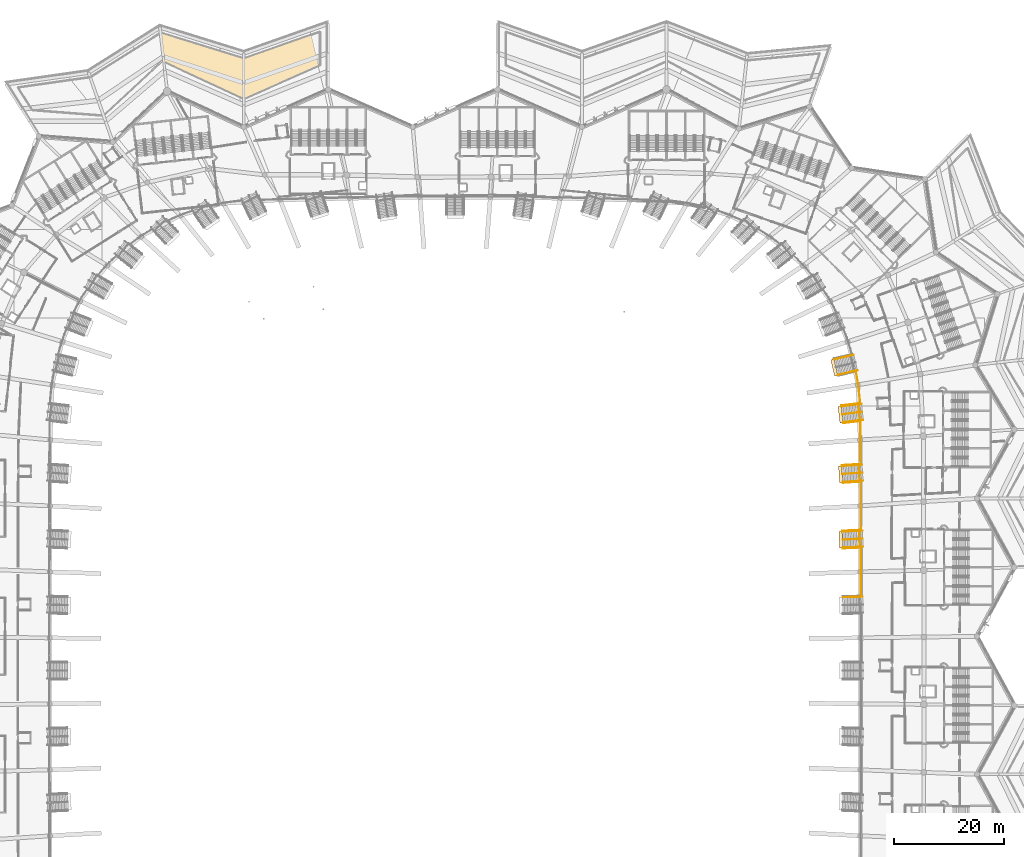
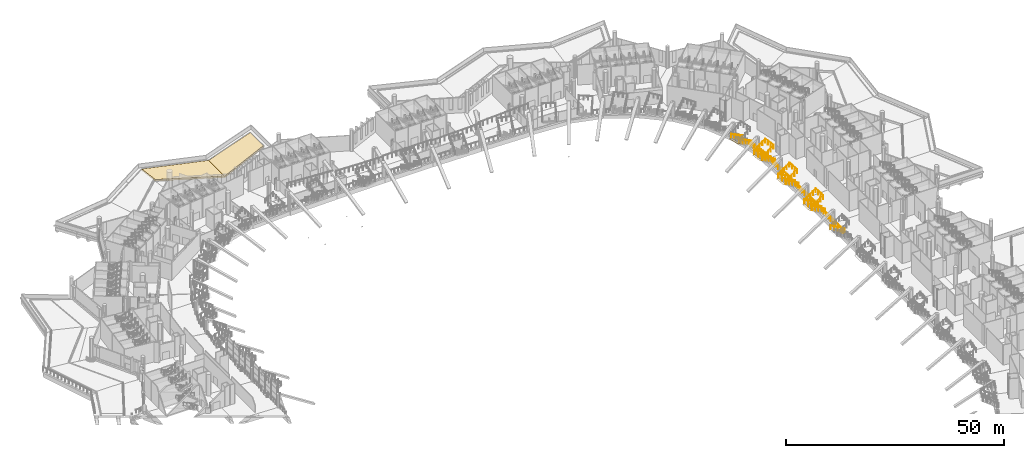
# One storey, part 160 of 173: 19 railings, 6 coverings.
"""IFC4 building model written with IfcOpenShell, lengths in metres."""

from ifc_helpers import new_model, si_unit, direction, frame, origin, origin_2d, place, context, subcontext, project, spatial, polyline, rectangle, circle, outline, extrude, material, layer, layer_set, type_object, element, save


model = new_model("IFC4")

# Units and contexts
model_context = context("Model", 3, precision=1e-05, world=origin(), true_north=direction((0.0, 1.0)))
body_context = subcontext(model_context, "Body", "Model", "MODEL_VIEW")
ifc_project = project(units=[si_unit("LENGTHUNIT", "METRE"), si_unit("AREAUNIT", "SQUARE_METRE"), si_unit("VOLUMEUNIT", "CUBIC_METRE"), si_unit("PLANEANGLEUNIT", "RADIAN"), si_unit("MASSUNIT", "GRAM", prefix="KILO")], contexts=[model_context])

# Site, building, storey
site_placement = place(None, origin())
site = spatial("IfcSite", under=ifc_project, at=site_placement, CompositionType="ELEMENT")
building_placement = place(site_placement, origin())
building = spatial("IfcBuilding", under=site, at=building_placement, Name="Meseta Stadium", CompositionType="ELEMENT")
storey_placement = place(building_placement, frame((0.0, 0.0, 18.0)))
storey = spatial("IfcBuildingStorey", under=building, at=storey_placement, Name="L03", CompositionType="ELEMENT", Elevation=18.0)

# Coverings
ifc_material_1 = material(Name="Planting soil")
ifc_layer_1 = layer(ifc_material_1, 0.449951171875)
ifc_layer_set_1 = layer_set([ifc_layer_1], Name="Planting soil 450")
covering_type_1 = type_object("IfcCoveringType", Name="Planting soil 450", PredefinedType="FLOORING", material=ifc_layer_set_1)
covering_1_placement = place(storey_placement, origin())
element("IfcCovering", 1, at=covering_1_placement, inside=storey, type_object=covering_type_1, Name="Roof garden planting bed 3.1 panel 03", PredefinedType="FLOORING", context=body_context, shape_type="SweptSolid", body=[
    extrude(outline(polyline([(-38.333251953125, 103.728515625), (-38.333251953125, 111.029296875), (-53.37158203125, 115.697265625), (-53.400390625, 115.67919921875), (-52.8125, 110.4638671875), (-38.333251953125, 103.728515625)])), origin(), (0.0, 0.0, 1.0), 0.449951171875),
])
covering_2_placement = place(storey_placement, origin())
element("IfcCovering", 2, at=covering_2_placement, inside=storey, type_object=covering_type_1, Name="Roof garden planting bed 3.1 panel 04", PredefinedType="FLOORING", context=body_context, shape_type="SweptSolid", body=[
    extrude(outline(polyline([(-38.333251953125, 111.029296875), (-38.333251953125, 103.728515625), (-38.287353515625, 103.70703125), (-24.5, 109.821533203125), (-24.5, 115.88134765625), (-38.3037109375, 111.020263671875), (-38.333251953125, 111.029296875)])), origin(), (0.0, 0.0, 1.0), 0.449951171875),
])

# Railings
ifc_material_2 = material(Name="Steel S355", Category="steel")
railing_type_1 = type_object("IfcRailingType", Name="Plate edge guard 1100", PredefinedType="GUARDRAIL", material=ifc_material_2)
railing_1_placement = place(storey_placement, frame((73.590087890625, 13.534912109375, 0.0)))
element("IfcRailing", 3, at=railing_1_placement, inside=storey, type_object=railing_type_1, Name="L03 inner edge guard 7", PredefinedType="GUARDRAIL", context=body_context, shape_type="SweptSolid", body=[
    extrude(circle(Radius=0.02490234375, at=origin_2d()), frame((0.0, 0.0, 1.0751953125), z_axis=(-0.001964850227, 0.99999806968, 0.0), x_axis=(-0.99999806968, -0.001964850227, 0.0)), (0.0, 0.0, 1.0), 8.822021484375),
    extrude(circle(Radius=0.02001953125, at=origin_2d()), origin(), (0.0, 0.0, 1.0), 1.050048828125),
    extrude(circle(Radius=0.02001953125, at=origin_2d()), frame((-0.002197265625, 1.102783203125, 0.0)), (0.0, 0.0, 1.0), 1.050048828125),
    extrude(circle(Radius=0.02001953125, at=origin_2d()), frame((-0.00439453125, 2.20556640625, 0.0)), (0.0, 0.0, 1.0), 1.050048828125),
    extrude(circle(Radius=0.02001953125, at=origin_2d()), frame((-0.006591796875, 3.308349609375, 0.0)), (0.0, 0.0, 1.0), 1.050048828125),
    extrude(circle(Radius=0.02001953125, at=origin_2d()), frame((-0.0087890625, 4.4111328125, 0.0)), (0.0, 0.0, 1.0), 1.050048828125),
    extrude(circle(Radius=0.02001953125, at=origin_2d()), frame((-0.0107421875, 5.513671875, 0.0)), (0.0, 0.0, 1.0), 1.050048828125),
    extrude(circle(Radius=0.02001953125, at=origin_2d()), frame((-0.012939453125, 6.616455078125, 0.0)), (0.0, 0.0, 1.0), 1.050048828125),
    extrude(circle(Radius=0.02001953125, at=origin_2d()), frame((-0.01513671875, 7.71923828125, 0.0)), (0.0, 0.0, 1.0), 1.050048828125),
    extrude(circle(Radius=0.02001953125, at=origin_2d()), frame((-0.017333984375, 8.822021484375, 0.0)), (0.0, 0.0, 1.0), 1.050048828125),
])
railing_2_placement = place(storey_placement, frame((73.564453125, 25.49951171875, 0.0)))
element("IfcRailing", 4, at=railing_2_placement, inside=storey, type_object=railing_type_1, Name="L03 inner edge guard 8", PredefinedType="GUARDRAIL", context=body_context, shape_type="SweptSolid", body=[
    extrude(circle(Radius=0.02490234375, at=origin_2d()), frame((0.0, 0.0, 1.0751953125), z_axis=(-0.003239544414, 0.999994752662, 0.0), x_axis=(-0.999994752662, -0.003239544414, 0.0)), (0.0, 0.0, 1.0), 8.8173828125),
    extrude(circle(Radius=0.02001953125, at=origin_2d()), origin(), (0.0, 0.0, 1.0), 1.050048828125),
    extrude(circle(Radius=0.02001953125, at=origin_2d()), frame((-0.003662109375, 1.10205078125, 0.0)), (0.0, 0.0, 1.0), 1.050048828125),
    extrude(circle(Radius=0.02001953125, at=origin_2d()), frame((-0.007080078125, 2.204345703125, 0.0)), (0.0, 0.0, 1.0), 1.050048828125),
    extrude(circle(Radius=0.02001953125, at=origin_2d()), frame((-0.0107421875, 3.306640625, 0.0)), (0.0, 0.0, 1.0), 1.050048828125),
    extrude(circle(Radius=0.02001953125, at=origin_2d()), frame((-0.01416015625, 4.40869140625, 0.0)), (0.0, 0.0, 1.0), 1.050048828125),
    extrude(circle(Radius=0.02001953125, at=origin_2d()), frame((-0.017822265625, 5.5107421875, 0.0)), (0.0, 0.0, 1.0), 1.050048828125),
    extrude(circle(Radius=0.02001953125, at=origin_2d()), frame((-0.021484375, 6.613037109375, 0.0)), (0.0, 0.0, 1.0), 1.050048828125),
    extrude(circle(Radius=0.02001953125, at=origin_2d()), frame((-0.02490234375, 7.71533203125, 0.0)), (0.0, 0.0, 1.0), 1.050048828125),
    extrude(circle(Radius=0.02001953125, at=origin_2d()), frame((-0.028564453125, 8.8173828125, 0.0)), (0.0, 0.0, 1.0), 1.050048828125),
])
railing_3_placement = place(storey_placement, frame((73.523681640625, 37.462890625, 0.0)))
element("IfcRailing", 5, at=railing_3_placement, inside=storey, type_object=railing_type_1, Name="L03 inner edge guard 9", PredefinedType="GUARDRAIL", context=body_context, shape_type="SweptSolid", body=[
    extrude(circle(Radius=0.02490234375, at=origin_2d()), frame((0.0, 0.0, 1.0751953125), z_axis=(-0.004512027757, 0.999989820751, 0.0), x_axis=(-0.999989820751, -0.004512027757, 0.0)), (0.0, 0.0, 1.0), 7.845703125),
    extrude(circle(Radius=0.02001953125, at=origin_2d()), origin(), (0.0, 0.0, 1.0), 1.050048828125),
    extrude(circle(Radius=0.02001953125, at=origin_2d()), frame((-0.005126953125, 1.120849609375, 0.0)), (0.0, 0.0, 1.0), 1.050048828125),
    extrude(circle(Radius=0.02001953125, at=origin_2d()), frame((-0.010009765625, 2.24169921875, 0.0)), (0.0, 0.0, 1.0), 1.050048828125),
    extrude(circle(Radius=0.02001953125, at=origin_2d()), frame((-0.01513671875, 3.362548828125, 0.0)), (0.0, 0.0, 1.0), 1.050048828125),
    extrude(circle(Radius=0.02001953125, at=origin_2d()), frame((-0.020263671875, 4.483154296875, 0.0)), (0.0, 0.0, 1.0), 1.050048828125),
    extrude(circle(Radius=0.02001953125, at=origin_2d()), frame((-0.025390625, 5.60400390625, 0.0)), (0.0, 0.0, 1.0), 1.050048828125),
    extrude(circle(Radius=0.02001953125, at=origin_2d()), frame((-0.0302734375, 6.724853515625, 0.0)), (0.0, 0.0, 1.0), 1.050048828125),
    extrude(circle(Radius=0.02001953125, at=origin_2d()), frame((-0.035400390625, 7.845703125, 0.0)), (0.0, 0.0, 1.0), 1.050048828125),
])
railing_4_placement = place(storey_placement, frame((73.434814453125, 48.464111328125, 0.0)))
element("IfcRailing", 6, at=railing_4_placement, inside=storey, type_object=railing_type_1, Name="L03 inner edge guard 10", PredefinedType="GUARDRAIL", context=body_context, shape_type="SweptSolid", body=[
    extrude(circle(Radius=0.02490234375, at=origin_2d()), frame((0.0, 0.0, 1.0751953125), z_axis=(-0.065669617645, 0.997841420927, 0.0), x_axis=(-0.997841420927, -0.065669617645, 0.0)), (0.0, 0.0, 1.0), 0.724853515625),
    extrude(circle(Radius=0.02490234375, at=origin_2d()), frame((-0.047607421875, 0.723388671875, 1.0751953125), z_axis=(-0.095280129847, 0.995450499451, 0.0), x_axis=(-0.995450499451, -0.095280129847, 0.0)), (0.0, 0.0, 1.0), 1.34521484375),
    extrude(circle(Radius=0.02490234375, at=origin_2d()), frame((-0.17578125, 2.0625, 1.0751953125), z_axis=(-0.124704937737, 0.99219387143, 0.0), x_axis=(-0.99219387143, -0.124704937737, 0.0)), (0.0, 0.0, 1.0), 1.344970703125),
    extrude(circle(Radius=0.02490234375, at=origin_2d()), frame((-0.343505859375, 3.39697265625, 1.0751953125), z_axis=(-0.154144257928, 0.98804835294, 0.0), x_axis=(-0.98804835294, -0.154144257928, 0.0)), (0.0, 0.0, 1.0), 1.3447265625),
    extrude(circle(Radius=0.02490234375, at=origin_2d()), frame((-0.55078125, 4.7255859375, 1.0751953125), z_axis=(-0.18318241136, 0.983078940965, 0.0), x_axis=(-0.983078940965, -0.18318241136, 0.0)), (0.0, 0.0, 1.0), 1.11962890625),
    extrude(circle(Radius=0.02001953125, at=origin_2d()), origin(), (0.0, 0.0, 1.0), 1.050048828125),
    extrude(circle(Radius=0.02001953125, at=origin_2d()), frame((-0.047607421875, 0.723388671875, 0.0)), (0.0, 0.0, 1.0), 1.050048828125),
    extrude(circle(Radius=0.02001953125, at=origin_2d()), frame((-0.11181640625, 1.39306640625, 0.0)), (0.0, 0.0, 1.0), 1.050048828125),
    extrude(circle(Radius=0.02001953125, at=origin_2d()), frame((-0.17578125, 2.0625, 0.0)), (0.0, 0.0, 1.0), 1.050048828125),
    extrude(circle(Radius=0.02001953125, at=origin_2d()), frame((-0.259765625, 2.729736328125, 0.0)), (0.0, 0.0, 1.0), 1.050048828125),
    extrude(circle(Radius=0.02001953125, at=origin_2d()), frame((-0.343505859375, 3.39697265625, 0.0)), (0.0, 0.0, 1.0), 1.050048828125),
    extrude(circle(Radius=0.02001953125, at=origin_2d()), frame((-0.447265625, 4.061279296875, 0.0)), (0.0, 0.0, 1.0), 1.050048828125),
    extrude(circle(Radius=0.02001953125, at=origin_2d()), frame((-0.55078125, 4.7255859375, 0.0)), (0.0, 0.0, 1.0), 1.050048828125),
    extrude(circle(Radius=0.02001953125, at=origin_2d()), frame((-0.755859375, 5.826171875, 0.0)), (0.0, 0.0, 1.0), 1.050048828125),
])

# Coverings
ifc_material_3 = material(Name="Stone paving", Category="masonry")
ifc_layer_2 = layer(ifc_material_3, 0.02001953125)
ifc_layer_set_2 = layer_set([ifc_layer_2], Name="Vomitory exit threshold plate 20")
covering_type_2 = type_object("IfcCoveringType", Name="Vomitory exit threshold plate 20", PredefinedType="FLOORING", material=ifc_layer_set_2)
for number, where, z_axis, x_axis, name in (
    (7, (69.936279296875, 23.76904296875, 2.2919921875), (0.0, 0.0, 1.0), (-0.999039522965, -0.043818164662, 0.0), "Vomitory V-upper-07 exit threshold"),
    (8, (69.90185546875, 35.651123046875, 2.2919921875), (0.0, 0.0, 1.0), (-0.997842912451, -0.065646950207, 0.0), "Vomitory V-upper-08 exit threshold"),
    (9, (69.890380859375, 46.4619140625, 2.409423828125), (0.0, 0.0, 1.0), (-0.993015017931, -0.117988025512, 0.0), "Vomitory V-upper-09 exit threshold"),
    (10, (68.74658203125, 54.975341796875, 2.330810546875), (0.0, 0.0, 1.0), (-0.973256309483, -0.229721910255, 0.0), "Vomitory V-upper-10 exit threshold"),
):
    element("IfcCovering", number, at=place(storey_placement, frame(where, z_axis=z_axis, x_axis=x_axis)), inside=storey, type_object=covering_type_2, Name=name, PredefinedType="FLOORING", context=body_context, shape_type="SweptSolid", body=[
        extrude(rectangle(XDim=0.60009765625, YDim=3.0, at=origin_2d()), origin(), (0.0, 0.0, 1.0), 0.02001953125),
    ])

# Railings
ifc_material_4 = material(Name="Steel S355", Category="steel")
railing_type_2 = type_object("IfcRailingType", Name="Vomitory slot guard 1100", PredefinedType="GUARDRAIL", material=ifc_material_4)
railing_5_placement = place(storey_placement, frame((70.199951171875, 25.382080078125, 2.31201171875)))
element("IfcRailing", 11, at=railing_5_placement, inside=storey, type_object=railing_type_2, Name="Vomitory V-upper-07 slot guard", PredefinedType="GUARDRAIL", context=body_context, shape_type="SweptSolid", body=[
    extrude(circle(Radius=0.02490234375, at=origin_2d()), frame((0.0, 0.0, 1.0751953125), z_axis=(0.847195861741, 0.03713076613, 0.529981582751), x_axis=(-0.043785808256, 0.999040941601, 0.0)), (0.0, 0.0, 1.0), 3.65576171875),
    extrude(circle(Radius=0.02490234375, at=origin_2d()), frame((3.09716796875, 0.1357421875, 3.0126953125), z_axis=(0.043794812428, -0.999040546927, 0.0), x_axis=(0.999040546927, 0.043794812428, 0.0)), (0.0, 0.0, 1.0), 3.199951171875),
    extrude(circle(Radius=0.02490234375, at=origin_2d()), frame((3.2373046875, -3.06103515625, 3.0126953125), z_axis=(-0.847195861741, -0.03713076613, -0.529981582751), x_axis=(0.043785808256, -0.999040941601, 0.0)), (0.0, 0.0, 1.0), 3.65576171875),
    extrude(circle(Radius=0.02001953125, at=origin_2d()), origin(), (0.0, 0.0, 1.0), 1.050048828125),
    extrude(circle(Radius=0.02001953125, at=origin_2d()), frame((0.7744140625, 0.033935546875, 0.484375)), (0.0, 0.0, 1.0), 1.050048828125),
    extrude(circle(Radius=0.02001953125, at=origin_2d()), frame((1.548583984375, 0.06787109375, 0.96875)), (0.0, 0.0, 1.0), 1.050048828125),
    extrude(circle(Radius=0.02001953125, at=origin_2d()), frame((2.32275390625, 0.101806640625, 1.453125)), (0.0, 0.0, 1.0), 1.050048828125),
    extrude(circle(Radius=0.02001953125, at=origin_2d()), frame((3.09716796875, 0.1357421875, 1.9375)), (0.0, 0.0, 1.0), 1.050048828125),
    extrude(circle(Radius=0.02001953125, at=origin_2d()), frame((3.143798828125, -0.929931640625, 1.9375)), (0.0, 0.0, 1.0), 1.050048828125),
    extrude(circle(Radius=0.02001953125, at=origin_2d()), frame((3.190673828125, -1.995361328125, 1.9375)), (0.0, 0.0, 1.0), 1.050048828125),
    extrude(circle(Radius=0.02001953125, at=origin_2d()), frame((3.2373046875, -3.06103515625, 1.9375)), (0.0, 0.0, 1.0), 1.050048828125),
    extrude(circle(Radius=0.02001953125, at=origin_2d()), frame((2.462890625, -3.094970703125, 1.453125)), (0.0, 0.0, 1.0), 1.050048828125),
    extrude(circle(Radius=0.02001953125, at=origin_2d()), frame((1.688720703125, -3.12890625, 0.96875)), (0.0, 0.0, 1.0), 1.050048828125),
    extrude(circle(Radius=0.02001953125, at=origin_2d()), frame((0.91455078125, -3.162841796875, 0.484375)), (0.0, 0.0, 1.0), 1.050048828125),
    extrude(circle(Radius=0.02001953125, at=origin_2d()), frame((0.14013671875, -3.19677734375, 0.0)), (0.0, 0.0, 1.0), 1.050048828125),
])
railing_6_placement = place(storey_placement, frame((70.1298828125, 37.269775390625, 2.31201171875)))
element("IfcRailing", 12, at=railing_6_placement, inside=storey, type_object=railing_type_2, Name="Vomitory V-upper-08 slot guard", PredefinedType="GUARDRAIL", context=body_context, shape_type="SweptSolid", body=[
    extrude(circle(Radius=0.02490234375, at=origin_2d()), frame((0.0, 0.0, 1.0751953125), z_axis=(0.846185833796, 0.055628821684, 0.529976385211), x_axis=(-0.065599066313, 0.997846061524, 0.0)), (0.0, 0.0, 1.0), 3.65576171875),
    extrude(circle(Radius=0.02490234375, at=origin_2d()), frame((3.093505859375, 0.203369140625, 3.0126953125), z_axis=(0.065612573528, -0.997845173459, 0.0), x_axis=(0.997845173459, 0.065612573528, 0.0)), (0.0, 0.0, 1.0), 3.199951171875),
    extrude(circle(Radius=0.02490234375, at=origin_2d()), frame((3.303466796875, -2.98974609375, 3.0126953125), z_axis=(-0.846166868334, -0.055631965377, -0.530006335209), x_axis=(0.065604221541, -0.997845722602, 0.0)), (0.0, 0.0, 1.0), 3.655517578125),
    extrude(circle(Radius=0.02001953125, at=origin_2d()), origin(), (0.0, 0.0, 1.0), 1.050048828125),
    extrude(circle(Radius=0.02001953125, at=origin_2d()), frame((0.7734375, 0.05078125, 0.484375)), (0.0, 0.0, 1.0), 1.050048828125),
    extrude(circle(Radius=0.02001953125, at=origin_2d()), frame((1.546875, 0.1015625, 0.96875)), (0.0, 0.0, 1.0), 1.050048828125),
    extrude(circle(Radius=0.02001953125, at=origin_2d()), frame((2.320068359375, 0.152587890625, 1.453125)), (0.0, 0.0, 1.0), 1.050048828125),
    extrude(circle(Radius=0.02001953125, at=origin_2d()), frame((3.093505859375, 0.203369140625, 1.9375)), (0.0, 0.0, 1.0), 1.050048828125),
    extrude(circle(Radius=0.02001953125, at=origin_2d()), frame((3.16357421875, -0.861083984375, 1.9375)), (0.0, 0.0, 1.0), 1.050048828125),
    extrude(circle(Radius=0.02001953125, at=origin_2d()), frame((3.2333984375, -1.92529296875, 1.9375)), (0.0, 0.0, 1.0), 1.050048828125),
    extrude(circle(Radius=0.02001953125, at=origin_2d()), frame((3.303466796875, -2.98974609375, 1.9375)), (0.0, 0.0, 1.0), 1.050048828125),
    extrude(circle(Radius=0.02001953125, at=origin_2d()), frame((2.5302734375, -3.04052734375, 1.453125)), (0.0, 0.0, 1.0), 1.050048828125),
    extrude(circle(Radius=0.02001953125, at=origin_2d()), frame((1.7568359375, -3.09130859375, 0.96875)), (0.0, 0.0, 1.0), 1.050048828125),
    extrude(circle(Radius=0.02001953125, at=origin_2d()), frame((0.9833984375, -3.142333984375, 0.484375)), (0.0, 0.0, 1.0), 1.050048828125),
    extrude(circle(Radius=0.02001953125, at=origin_2d()), frame((0.210205078125, -3.193115234375, 0.0)), (0.0, 0.0, 1.0), 1.050048828125),
])
railing_7_placement = place(storey_placement, frame((70.033203125, 48.090087890625, 2.429443359375)))
element("IfcRailing", 13, at=railing_7_placement, inside=storey, type_object=railing_type_2, Name="Vomitory V-upper-09 slot guard", PredefinedType="GUARDRAIL", context=body_context, shape_type="SweptSolid", body=[
    extrude(circle(Radius=0.02490234375, at=origin_2d()), frame((0.0, 0.0, 1.0751953125), z_axis=(0.842072147355, 0.100108347124, 0.529993223999), x_axis=(-0.118052034907, 0.993007410372, 0.0)), (0.0, 0.0, 1.0), 3.65576171875),
    extrude(circle(Radius=0.02490234375, at=origin_2d()), frame((3.078369140625, 0.365966796875, 3.0126953125), z_axis=(0.117947803089, -0.993019796251, 0.0), x_axis=(0.993019796251, 0.117947803089, 0.0)), (0.0, 0.0, 1.0), 3.199951171875),
    extrude(circle(Radius=0.02490234375, at=origin_2d()), frame((3.455810546875, -2.811767578125, 3.0126953125), z_axis=(-0.842077775272, -0.100042232323, -0.529996766164), x_axis=(0.117974377502, -0.993016639464, 0.0)), (0.0, 0.0, 1.0), 3.65576171875),
    extrude(circle(Radius=0.02001953125, at=origin_2d()), origin(), (0.0, 0.0, 1.0), 1.050048828125),
    extrude(circle(Radius=0.02001953125, at=origin_2d()), frame((0.76953125, 0.091552734375, 0.484375)), (0.0, 0.0, 1.0), 1.050048828125),
    extrude(circle(Radius=0.02001953125, at=origin_2d()), frame((1.5390625, 0.18310546875, 0.96875)), (0.0, 0.0, 1.0), 1.050048828125),
    extrude(circle(Radius=0.02001953125, at=origin_2d()), frame((2.308837890625, 0.2744140625, 1.453125)), (0.0, 0.0, 1.0), 1.050048828125),
    extrude(circle(Radius=0.02001953125, at=origin_2d()), frame((3.078369140625, 0.365966796875, 1.9375)), (0.0, 0.0, 1.0), 1.050048828125),
    extrude(circle(Radius=0.02001953125, at=origin_2d()), frame((3.2041015625, -0.693359375, 1.9375)), (0.0, 0.0, 1.0), 1.050048828125),
    extrude(circle(Radius=0.02001953125, at=origin_2d()), frame((3.330078125, -1.75244140625, 1.9375)), (0.0, 0.0, 1.0), 1.050048828125),
    extrude(circle(Radius=0.02001953125, at=origin_2d()), frame((3.455810546875, -2.811767578125, 1.9375)), (0.0, 0.0, 1.0), 1.050048828125),
    extrude(circle(Radius=0.02001953125, at=origin_2d()), frame((2.686279296875, -2.9033203125, 1.453125)), (0.0, 0.0, 1.0), 1.050048828125),
    extrude(circle(Radius=0.02001953125, at=origin_2d()), frame((1.91650390625, -2.99462890625, 0.96875)), (0.0, 0.0, 1.0), 1.050048828125),
    extrude(circle(Radius=0.02001953125, at=origin_2d()), frame((1.14697265625, -3.0859375, 0.484375)), (0.0, 0.0, 1.0), 1.050048828125),
    extrude(circle(Radius=0.02001953125, at=origin_2d()), frame((0.37744140625, -3.177490234375, 0.0)), (0.0, 0.0, 1.0), 1.050048828125),
])
ifc_material_5 = material(Name="Steel S355", Category="steel")
railing_type_3 = type_object("IfcRailingType", Name="Vomitory stair guard 1100", PredefinedType="GUARDRAIL", material=ifc_material_5)
railing_8_placement = place(storey_placement, frame((73.8984375, 13.421630859375, 0.1650390625)))
element("IfcRailing", 14, at=railing_8_placement, inside=storey, type_object=railing_type_3, Name="Vomitory V-upper-06 guard right", PredefinedType="GUARDRAIL", context=body_context, shape_type="SweptSolid", body=[
    extrude(circle(Radius=0.02490234375, at=origin_2d()), frame((0.0, 0.0, 1.0751953125), z_axis=(-0.861114283805, -0.018891940342, 0.508060316121), x_axis=(0.021933668769, -0.99975942815, 0.0)), (0.0, 0.0, 1.0), 4.225830078125),
    extrude(circle(Radius=0.02001953125, at=origin_2d()), origin(), (0.0, 0.0, 1.0), 1.050048828125),
    extrude(circle(Radius=0.02001953125, at=origin_2d()), frame((-0.90966796875, -0.02001953125, 0.53662109375)), (0.0, 0.0, 1.0), 1.050048828125),
    extrude(circle(Radius=0.02001953125, at=origin_2d()), frame((-1.8193359375, -0.0400390625, 1.073486328125)), (0.0, 0.0, 1.0), 1.050048828125),
    extrude(circle(Radius=0.02001953125, at=origin_2d()), frame((-2.729248046875, -0.059814453125, 1.6103515625)), (0.0, 0.0, 1.0), 1.050048828125),
    extrude(circle(Radius=0.02001953125, at=origin_2d()), frame((-3.638916015625, -0.079833984375, 2.14697265625)), (0.0, 0.0, 1.0), 1.050048828125),
])
railing_9_placement = place(storey_placement, frame((73.97021484375, 22.494384765625, 0.1650390625)))
element("IfcRailing", 15, at=railing_9_placement, inside=storey, type_object=railing_type_3, Name="Vomitory V-upper-07 guard left", PredefinedType="GUARDRAIL", context=body_context, shape_type="SweptSolid", body=[
    extrude(circle(Radius=0.02490234375, at=origin_2d()), frame((0.0, 0.0, 1.0751953125), z_axis=(-0.860520694288, -0.037722879523, 0.508016849192), x_axis=(0.043795211179, -0.999040529447, 0.0)), (0.0, 0.0, 1.0), 4.22607421875),
    extrude(circle(Radius=0.02001953125, at=origin_2d()), origin(), (0.0, 0.0, 1.0), 1.050048828125),
    extrude(circle(Radius=0.02001953125, at=origin_2d()), frame((-0.9091796875, -0.039794921875, 0.53662109375)), (0.0, 0.0, 1.0), 1.050048828125),
    extrude(circle(Radius=0.02001953125, at=origin_2d()), frame((-1.818359375, -0.07958984375, 1.073486328125)), (0.0, 0.0, 1.0), 1.050048828125),
    extrude(circle(Radius=0.02001953125, at=origin_2d()), frame((-2.7275390625, -0.11962890625, 1.6103515625)), (0.0, 0.0, 1.0), 1.050048828125),
    extrude(circle(Radius=0.02001953125, at=origin_2d()), frame((-3.63671875, -0.159423828125, 2.14697265625)), (0.0, 0.0, 1.0), 1.050048828125),
])
railing_10_placement = place(storey_placement, frame((73.843017578125, 25.3916015625, 0.1650390625)))
element("IfcRailing", 16, at=railing_10_placement, inside=storey, type_object=railing_type_3, Name="Vomitory V-upper-07 guard right", PredefinedType="GUARDRAIL", context=body_context, shape_type="SweptSolid", body=[
    extrude(circle(Radius=0.02490234375, at=origin_2d()), frame((0.0, 0.0, 1.0751953125), z_axis=(-0.860505701986, -0.037724754844, 0.508042104281), x_axis=(0.043798145802, -0.999040400797, 0.0)), (0.0, 0.0, 1.0), 4.22607421875),
    extrude(circle(Radius=0.02001953125, at=origin_2d()), origin(), (0.0, 0.0, 1.0), 1.050048828125),
    extrude(circle(Radius=0.02001953125, at=origin_2d()), frame((-0.9091796875, -0.039794921875, 0.53662109375)), (0.0, 0.0, 1.0), 1.050048828125),
    extrude(circle(Radius=0.02001953125, at=origin_2d()), frame((-1.818359375, -0.07958984375, 1.073486328125)), (0.0, 0.0, 1.0), 1.050048828125),
    extrude(circle(Radius=0.02001953125, at=origin_2d()), frame((-2.727294921875, -0.11962890625, 1.6103515625)), (0.0, 0.0, 1.0), 1.050048828125),
    extrude(circle(Radius=0.02001953125, at=origin_2d()), frame((-3.636474609375, -0.159423828125, 2.14697265625)), (0.0, 0.0, 1.0), 1.050048828125),
])
for number, where, name in (
    (17, (73.96240234375, 34.465087890625, 0.1650390625), "Vomitory V-upper-08 guard left"),
    (18, (73.77197265625, 37.35888671875, 0.1650390625), "Vomitory V-upper-08 guard right"),
):
    element("IfcRailing", number, at=place(storey_placement, frame(where)), inside=storey, type_object=railing_type_3, Name=name, PredefinedType="GUARDRAIL", context=body_context, shape_type="SweptSolid", body=[
        extrude(circle(Radius=0.02490234375, at=origin_2d()), frame((0.0, 0.0, 1.0751953125), z_axis=(-0.859474164837, -0.056501023944, 0.508047039428), x_axis=(0.065597469305, -0.997846166511, 0.0)), (0.0, 0.0, 1.0), 4.225830078125),
        extrude(circle(Radius=0.02001953125, at=origin_2d()), origin(), (0.0, 0.0, 1.0), 1.050048828125),
        extrude(circle(Radius=0.02001953125, at=origin_2d()), frame((-0.907958984375, -0.0595703125, 0.53662109375)), (0.0, 0.0, 1.0), 1.050048828125),
        extrude(circle(Radius=0.02001953125, at=origin_2d()), frame((-1.81591796875, -0.119384765625, 1.073486328125)), (0.0, 0.0, 1.0), 1.050048828125),
        extrude(circle(Radius=0.02001953125, at=origin_2d()), frame((-2.72412109375, -0.17919921875, 1.6103515625)), (0.0, 0.0, 1.0), 1.050048828125),
        extrude(circle(Radius=0.02001953125, at=origin_2d()), frame((-3.632080078125, -0.23876953125, 2.14697265625)), (0.0, 0.0, 1.0), 1.050048828125),
    ])
railing_11_placement = place(storey_placement, frame((74.007568359375, 45.490966796875, 0.173583984375)))
element("IfcRailing", 19, at=railing_11_placement, inside=storey, type_object=railing_type_3, Name="Vomitory V-upper-09 guard left", PredefinedType="GUARDRAIL", context=body_context, shape_type="SweptSolid", body=[
    extrude(circle(Radius=0.02490234375, at=origin_2d()), frame((0.0, 0.0, 1.0751953125), z_axis=(-0.844059575991, -0.100283741585, 0.526788955229), x_axis=(0.117981411605, -0.993015803759, 0.0)), (0.0, 0.0, 1.0), 4.2822265625),
    extrude(circle(Radius=0.02001953125, at=origin_2d()), origin(), (0.0, 0.0, 1.0), 1.050048828125),
    extrude(circle(Radius=0.02001953125, at=origin_2d()), frame((-0.903564453125, -0.107421875, 0.56396484375)), (0.0, 0.0, 1.0), 1.050048828125),
    extrude(circle(Radius=0.02001953125, at=origin_2d()), frame((-1.80712890625, -0.21484375, 1.1279296875)), (0.0, 0.0, 1.0), 1.050048828125),
    extrude(circle(Radius=0.02001953125, at=origin_2d()), frame((-2.7109375, -0.322021484375, 1.69189453125)), (0.0, 0.0, 1.0), 1.050048828125),
    extrude(circle(Radius=0.02001953125, at=origin_2d()), frame((-3.614501953125, -0.429443359375, 2.255859375)), (0.0, 0.0, 1.0), 1.050048828125),
])
railing_12_placement = place(storey_placement, frame((73.665283203125, 48.37060546875, 0.173583984375)))
element("IfcRailing", 20, at=railing_12_placement, inside=storey, type_object=railing_type_3, Name="Vomitory V-upper-09 guard right", PredefinedType="GUARDRAIL", context=body_context, shape_type="SweptSolid", body=[
    extrude(circle(Radius=0.02490234375, at=origin_2d()), frame((0.0, 0.0, 1.0751953125), z_axis=(-0.84406440045, -0.100227302667, 0.526791966238), x_axis=(0.117915271448, -0.993023659718, 0.0)), (0.0, 0.0, 1.0), 4.2822265625),
    extrude(circle(Radius=0.02001953125, at=origin_2d()), origin(), (0.0, 0.0, 1.0), 1.050048828125),
    extrude(circle(Radius=0.02001953125, at=origin_2d()), frame((-0.903564453125, -0.107421875, 0.56396484375)), (0.0, 0.0, 1.0), 1.050048828125),
    extrude(circle(Radius=0.02001953125, at=origin_2d()), frame((-1.80712890625, -0.214599609375, 1.1279296875)), (0.0, 0.0, 1.0), 1.050048828125),
    extrude(circle(Radius=0.02001953125, at=origin_2d()), frame((-2.7109375, -0.32177734375, 1.69189453125)), (0.0, 0.0, 1.0), 1.050048828125),
    extrude(circle(Radius=0.02001953125, at=origin_2d()), frame((-3.614501953125, -0.42919921875, 2.255859375)), (0.0, 0.0, 1.0), 1.050048828125),
])
for number, where, name in (
    (21, (72.947509765625, 54.47705078125, 0.16796875), "Vomitory V-upper-10 guard left"),
    (22, (72.28125, 57.299560546875, 0.16796875), "Vomitory V-upper-10 guard right"),
):
    element("IfcRailing", number, at=place(storey_placement, frame(where)), inside=storey, type_object=railing_type_3, Name=name, PredefinedType="GUARDRAIL", context=body_context, shape_type="SweptSolid", body=[
        extrude(circle(Radius=0.02490234375, at=origin_2d()), frame((0.0, 0.0, 1.0751953125), z_axis=(-0.834705619611, -0.197013765224, 0.514249068936), x_axis=(0.229715919179, -0.973257723563, 0.0)), (0.0, 0.0, 1.0), 4.244384765625),
        extrude(circle(Radius=0.02001953125, at=origin_2d()), origin(), (0.0, 0.0, 1.0), 1.050048828125),
        extrude(circle(Radius=0.02001953125, at=origin_2d()), frame((-0.8857421875, -0.208984375, 0.545654296875)), (0.0, 0.0, 1.0), 1.050048828125),
        extrude(circle(Radius=0.02001953125, at=origin_2d()), frame((-1.771484375, -0.41796875, 1.09130859375)), (0.0, 0.0, 1.0), 1.050048828125),
        extrude(circle(Radius=0.02001953125, at=origin_2d()), frame((-2.656982421875, -0.627197265625, 1.636962890625)), (0.0, 0.0, 1.0), 1.050048828125),
        extrude(circle(Radius=0.02001953125, at=origin_2d()), frame((-3.542724609375, -0.836181640625, 2.1826171875)), (0.0, 0.0, 1.0), 1.050048828125),
    ])
ifc_material_6 = material(Name="Steel S355", Category="steel")
railing_type_4 = type_object("IfcRailingType", Name="Vomitory stair handrail 900", PredefinedType="HANDRAIL", material=ifc_material_6)
railing_13_placement = place(storey_placement, frame((73.906494140625, 23.943115234375, 0.1650390625)))
element("IfcRailing", 23, at=railing_13_placement, inside=storey, type_object=railing_type_4, Name="Vomitory V-upper-07 central handrail", PredefinedType="HANDRAIL", context=body_context, shape_type="SweptSolid", body=[
    extrude(circle(Radius=0.02490234375, at=origin_2d()), frame((0.0, 0.0, 0.875), z_axis=(-0.860505701986, -0.037724754844, 0.508042104281), x_axis=(0.043798145802, -0.999040400797, 0.0)), (0.0, 0.0, 1.0), 4.22607421875),
    extrude(circle(Radius=0.02001953125, at=origin_2d()), origin(), (0.0, 0.0, 1.0), 0.849853515625),
    extrude(circle(Radius=0.02001953125, at=origin_2d()), frame((-0.9091796875, -0.039794921875, 0.53662109375)), (0.0, 0.0, 1.0), 0.849853515625),
    extrude(circle(Radius=0.02001953125, at=origin_2d()), frame((-1.818359375, -0.07958984375, 1.073486328125)), (0.0, 0.0, 1.0), 0.849853515625),
    extrude(circle(Radius=0.02001953125, at=origin_2d()), frame((-2.727294921875, -0.11962890625, 1.6103515625)), (0.0, 0.0, 1.0), 0.849853515625),
    extrude(circle(Radius=0.02001953125, at=origin_2d()), frame((-3.636474609375, -0.159423828125, 2.14697265625)), (0.0, 0.0, 1.0), 0.849853515625),
])
railing_14_placement = place(storey_placement, frame((73.8671875, 35.912109375, 0.1650390625)))
element("IfcRailing", 24, at=railing_14_placement, inside=storey, type_object=railing_type_4, Name="Vomitory V-upper-08 central handrail", PredefinedType="HANDRAIL", context=body_context, shape_type="SweptSolid", body=[
    extrude(circle(Radius=0.02490234375, at=origin_2d()), frame((0.0, 0.0, 0.875), z_axis=(-0.85947135794, -0.05655861124, 0.508045380233), x_axis=(0.065664253324, -0.997841773948, 0.0)), (0.0, 0.0, 1.0), 4.225830078125),
    extrude(circle(Radius=0.02001953125, at=origin_2d()), origin(), (0.0, 0.0, 1.0), 0.849853515625),
    extrude(circle(Radius=0.02001953125, at=origin_2d()), frame((-0.907958984375, -0.059814453125, 0.53662109375)), (0.0, 0.0, 1.0), 0.849853515625),
    extrude(circle(Radius=0.02001953125, at=origin_2d()), frame((-1.81591796875, -0.11962890625, 1.073486328125)), (0.0, 0.0, 1.0), 0.849853515625),
    extrude(circle(Radius=0.02001953125, at=origin_2d()), frame((-2.72412109375, -0.17919921875, 1.6103515625)), (0.0, 0.0, 1.0), 0.849853515625),
    extrude(circle(Radius=0.02001953125, at=origin_2d()), frame((-3.632080078125, -0.239013671875, 2.14697265625)), (0.0, 0.0, 1.0), 0.849853515625),
])
railing_15_placement = place(storey_placement, frame((73.83642578125, 46.930908203125, 0.173583984375)))
element("IfcRailing", 25, at=railing_15_placement, inside=storey, type_object=railing_type_4, Name="Vomitory V-upper-09 central handrail", PredefinedType="HANDRAIL", context=body_context, shape_type="SweptSolid", body=[
    extrude(circle(Radius=0.02490234375, at=origin_2d()), frame((0.0, 0.0, 0.875), z_axis=(-0.844059575991, -0.100283741585, 0.526788955229), x_axis=(0.117981411605, -0.993015803759, 0.0)), (0.0, 0.0, 1.0), 4.2822265625),
    extrude(circle(Radius=0.02001953125, at=origin_2d()), origin(), (0.0, 0.0, 1.0), 0.849853515625),
    extrude(circle(Radius=0.02001953125, at=origin_2d()), frame((-0.903564453125, -0.107421875, 0.56396484375)), (0.0, 0.0, 1.0), 0.849853515625),
    extrude(circle(Radius=0.02001953125, at=origin_2d()), frame((-1.80712890625, -0.21484375, 1.1279296875)), (0.0, 0.0, 1.0), 0.849853515625),
    extrude(circle(Radius=0.02001953125, at=origin_2d()), frame((-2.7109375, -0.322021484375, 1.69189453125)), (0.0, 0.0, 1.0), 0.849853515625),
    extrude(circle(Radius=0.02001953125, at=origin_2d()), frame((-3.614501953125, -0.429443359375, 2.255859375)), (0.0, 0.0, 1.0), 0.849853515625),
])

save(model, "model.ifc")
